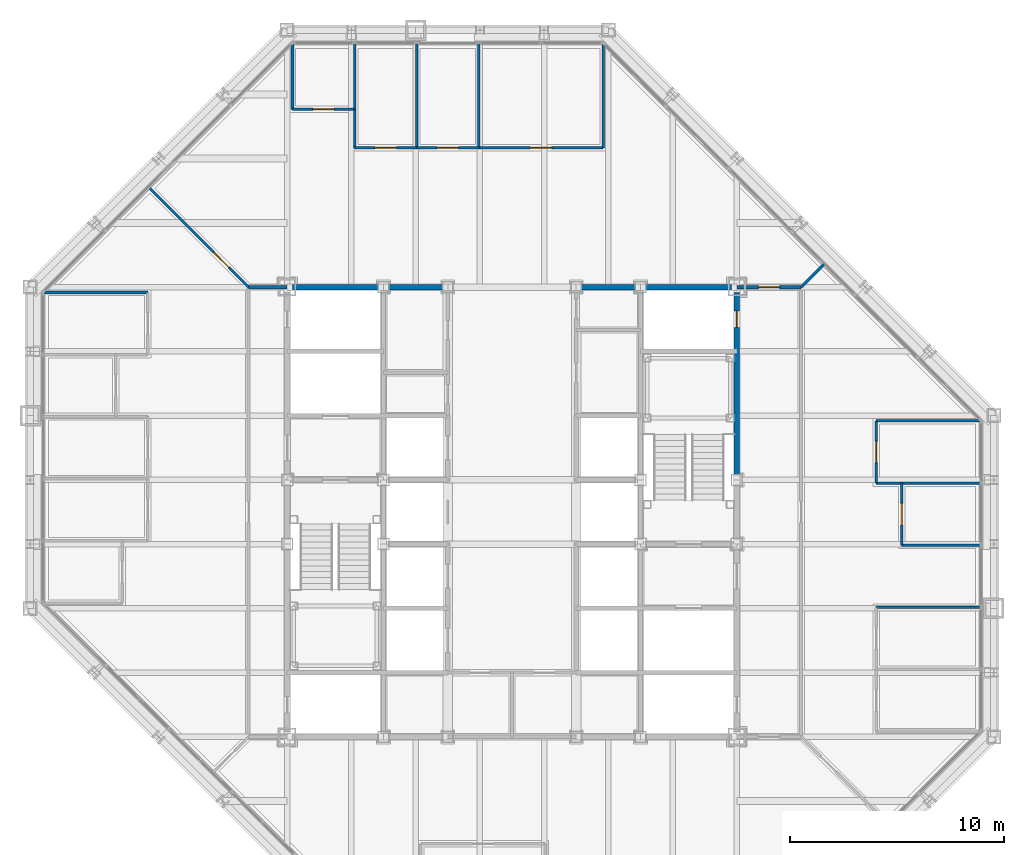
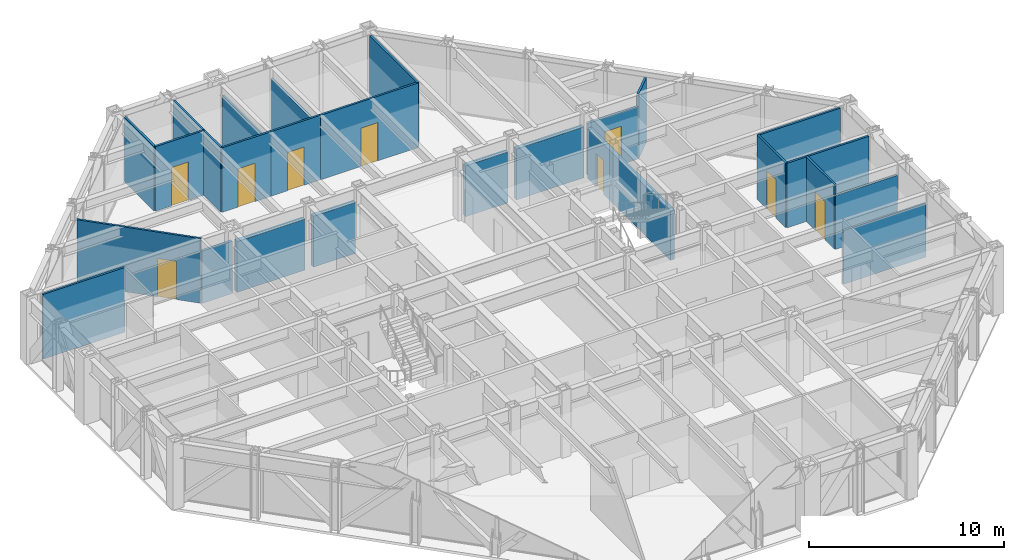
# One storey, part 13 of 16: 25 walls, 9 doors, 9 openings.
"""IFC4 building model written with IfcOpenShell, lengths in metres."""

from ifc_helpers import new_model, si_unit, direction, frame, frame_2d, origin, place, context, subcontext, project, spatial, rectangle, extrude, material, layer, layer_set, type_object, element, fill, save


model = new_model("IFC4")

# Units and contexts
model_context = context("Model", 3, precision=1e-05, world=origin(), true_north=direction((0.0, 1.0)))
body_context = subcontext(model_context, "Body", "Model", "MODEL_VIEW")
ifc_project = project(units=[si_unit("LENGTHUNIT", "METRE"), si_unit("AREAUNIT", "SQUARE_METRE"), si_unit("VOLUMEUNIT", "CUBIC_METRE"), si_unit("PLANEANGLEUNIT", "RADIAN"), si_unit("MASSUNIT", "GRAM", prefix="KILO")], contexts=[model_context])

# Site, building, storey
site_placement = place(None, origin())
site = spatial("IfcSite", under=ifc_project, at=site_placement, CompositionType="ELEMENT")
building_placement = place(site_placement, origin())
building = spatial("IfcBuilding", under=site, at=building_placement, Name="Chuquiago Exchange Tower", CompositionType="ELEMENT")
storey_placement = place(building_placement, frame((0.0, 0.0, 226.5)))
storey = spatial("IfcBuildingStorey", under=building, at=storey_placement, Name="L50", CompositionType="ELEMENT", Elevation=226.5)

# Walls
ifc_material_1 = material(Name="Concrete masonry, fully grouted", Category="masonry")
ifc_layer_1 = layer(ifc_material_1, 0.25)
ifc_layer_set_1 = layer_set([ifc_layer_1], Name="W1 core wall 250")
wall_type_1 = type_object("IfcWallType", Name="W1 core wall 250", PredefinedType="SOLIDWALL", material=ifc_layer_set_1)
wall_1_placement = place(storey_placement, frame((12.25, 33.0, 0.0), z_axis=(0.0, 0.0, 1.0), x_axis=(1.0, 0.0, 0.0)))
element("IfcWall", 1, at=wall_1_placement, inside=storey, type_object=wall_type_1, Name="CW-L50-11-0", PredefinedType="SOLIDWALL", context=body_context, shape_type="SweptSolid", body=[
    extrude(rectangle(XDim=4.0, YDim=0.25, at=frame_2d((2.0, 0.0))), origin(), (0.0, 0.0, 1.0), 3.181396484375),
])
for number, where, z_axis, x_axis, name in (
    (2, (16.75, 33.0, 0.0), (0.0, 0.0, 1.0), (1.0, 0.0, 0.0), "CW-L50-11-1"),
    (3, (25.75, 33.0, 0.0), (0.0, 0.0, 1.0), (1.0, 0.0, 0.0), "CW-L50-12-0"),
):
    element("IfcWall", number, at=place(storey_placement, frame(where, z_axis=z_axis, x_axis=x_axis)), inside=storey, type_object=wall_type_1, Name=name, PredefinedType="SOLIDWALL", context=body_context, shape_type="SweptSolid", body=[
        extrude(rectangle(XDim=2.5, YDim=0.25, at=frame_2d((1.25, 0.0))), origin(), (0.0, 0.0, 1.0), 3.181396484375),
    ])
wall_2_placement = place(storey_placement, frame((28.75, 33.0, 0.0), z_axis=(0.0, 0.0, 1.0), x_axis=(1.0, 0.0, 0.0)))
element("IfcWall", 4, at=wall_2_placement, inside=storey, type_object=wall_type_1, Name="CW-L50-12-1", PredefinedType="SOLIDWALL", context=body_context, shape_type="SweptSolid", body=[
    extrude(rectangle(XDim=4.0, YDim=0.25, at=frame_2d((2.0, 0.0))), origin(), (0.0, 0.0, 1.0), 3.181396484375),
])

# Wall, opening, door
wall_3_placement = place(storey_placement, frame((33.0, 24.25, 0.0), z_axis=(0.0, 0.0, 1.0), x_axis=(0.0, 1.0, 0.0)))
wall_3 = element("IfcWall", 5, at=wall_3_placement, inside=storey, type_object=wall_type_1, Name="CW-L50-25-2", PredefinedType="SOLIDWALL", context=body_context, shape_type="SweptSolid", body=[
    extrude(rectangle(XDim=8.5, YDim=0.25, at=frame_2d((4.25, 0.0))), origin(), (0.0, 0.0, 1.0), 3.11279296875),
])
opening_1_placement = place(wall_3_placement, frame((6.875, 0.0, 0.0)))
opening_1 = element("IfcOpeningElement", 6, at=opening_1_placement, cuts=wall_3, Name="Opening L50-010", PredefinedType="OPENING", context=body_context, shape_type="SweptSolid", body=[
    extrude(rectangle(XDim=0.75, YDim=2.10009765625, at=frame_2d((0.375, 1.050048828125))), frame((0.0, 0.135009765625, 0.0), z_axis=(0.0, -1.0, 0.0), x_axis=(1.0, 0.0, 0.0)), (0.0, 0.0, 1.0), 0.27001953125),
])
ifc_material_2 = material(Name="Steel door, painted", Category="steel")
door_type_1 = type_object("IfcDoorType", Name="D6 riser access door 750x2100", OperationType="SINGLE_SWING_LEFT", PredefinedType="DOOR", material=ifc_material_2)
door_1_placement = place(opening_1_placement, frame((0.75, 0.0, 0.0), z_axis=(0.0, 0.0, 1.0), x_axis=(-1.0, 0.0, 0.0)))
door_1 = element("IfcDoor", 7, at=door_1_placement, inside=storey, type_object=door_type_1, Name="Riser RE2 door", OperationType="SINGLE_SWING_LEFT", OverallHeight=2.10009765625, OverallWidth=0.75, PredefinedType="DOOR", context=body_context, shape_type="SweptSolid", body=[
    extrude(rectangle(XDim=0.75, YDim=2.10009765625, at=frame_2d((0.375, 1.050048828125))), frame((0.0, 0.02490234375, 0.0), z_axis=(0.0, -1.0, 0.0), x_axis=(1.0, 0.0, 0.0)), (0.0, 0.0, 1.0), 0.050048828125),
])
fill(opening_1, door_1)

# Wall
ifc_material_3 = material(Name="Gypsum board on steel studs, acoustic insulation", Category="steel")
ifc_layer_2 = layer(ifc_material_3, 0.14990234375)
ifc_layer_set_2 = layer_set([ifc_layer_2], Name="W11 corridor wall 150")
wall_type_2 = type_object("IfcWallType", Name="W11 corridor wall 150", PredefinedType="PARTITIONING", material=ifc_layer_set_2)
wall_4_placement = place(storey_placement, frame((10.199951171875, 33.0, 0.0), z_axis=(0.0, 0.0, 1.0), x_axis=(1.0, 0.0, 0.0)))
element("IfcWall", 8, at=wall_4_placement, inside=storey, type_object=wall_type_2, Name="PW-L50-GWN0", PredefinedType="PARTITIONING", context=body_context, shape_type="SweptSolid", body=[
    extrude(rectangle(XDim=1.800048828125, YDim=0.14990234375, at=frame_2d((0.89990234375, 0.0))), origin(), (0.0, 0.0, 1.0), 3.2705078125),
])

# Wall, opening, door
wall_5_placement = place(storey_placement, frame((33.0, 33.0, 0.0), z_axis=(0.0, 0.0, 1.0), x_axis=(1.0, 0.0, 0.0)))
wall_5 = element("IfcWall", 9, at=wall_5_placement, inside=storey, type_object=wall_type_2, Name="PW-L50-GEN0", PredefinedType="PARTITIONING", context=body_context, shape_type="SweptSolid", body=[
    extrude(rectangle(XDim=3.0, YDim=0.14990234375, at=frame_2d((1.5, 0.0))), origin(), (0.0, 0.0, 1.0), 3.2705078125),
])
opening_2_placement = place(wall_5_placement, frame((1.0, 0.0, 0.0)))
opening_2 = element("IfcOpeningElement", 10, at=opening_2_placement, cuts=wall_5, Name="Opening L50-040", PredefinedType="OPENING", context=body_context, shape_type="SweptSolid", body=[
    extrude(rectangle(XDim=1.0, YDim=2.39990234375, at=frame_2d((0.5, 1.199951171875))), frame((0.0, 0.0849609375, 0.0), z_axis=(0.0, -1.0, 0.0), x_axis=(1.0, 0.0, 0.0)), (0.0, 0.0, 1.0), 0.169921875),
])
ifc_material_4 = material(Name="Timber door, laminate faced", Category="wood")
door_type_2 = type_object("IfcDoorType", Name="D9 room door 1000x2400", OperationType="SINGLE_SWING_LEFT", PredefinedType="DOOR", material=ifc_material_4)
door_2_placement = place(opening_2_placement, origin())
door_2 = element("IfcDoor", 11, at=door_2_placement, inside=storey, type_object=door_type_2, Name="Team area door", OperationType="SINGLE_SWING_LEFT", OverallHeight=2.39990234375, OverallWidth=1.0, PredefinedType="DOOR", context=body_context, shape_type="SweptSolid", body=[
    extrude(rectangle(XDim=1.0, YDim=2.39990234375, at=frame_2d((0.5, 1.199951171875))), frame((0.0, 0.02490234375, 0.0), z_axis=(0.0, -1.0, 0.0), x_axis=(1.0, 0.0, 0.0)), (0.0, 0.0, 1.0), 0.050048828125),
])
fill(opening_2, door_2)

# Walls
ifc_material_5 = material(Name="Gypsum board on steel studs", Category="steel")
ifc_layer_3 = layer(ifc_material_5, 0.1201171875)
ifc_layer_set_3 = layer_set([ifc_layer_3], Name="W4 partition 120")
wall_type_3 = type_object("IfcWallType", Name="W4 partition 120", PredefinedType="PARTITIONING", material=ifc_layer_set_3)
wall_6_placement = place(storey_placement, frame((44.347412109375, 18.0498046875, 0.0), z_axis=(0.0, 0.0, 1.0), x_axis=(-1.0, 0.0, 0.0)))
element("IfcWall", 12, at=wall_6_placement, inside=storey, type_object=wall_type_3, Name="PW-L50-E01805", PredefinedType="PARTITIONING", context=body_context, shape_type="SweptSolid", body=[
    extrude(rectangle(XDim=4.847412109375, YDim=0.1201171875, at=frame_2d((2.423828125, 0.0))), origin(), (0.0, 0.0, 1.0), 3.356689453125),
])
wall_7_placement = place(storey_placement, frame((44.347412109375, 20.9501953125, 0.0), z_axis=(0.0, 0.0, 1.0), x_axis=(-1.0, 0.0, 0.0)))
element("IfcWall", 13, at=wall_7_placement, inside=storey, type_object=wall_type_3, Name="PW-L50-E02095", PredefinedType="PARTITIONING", context=body_context, shape_type="SweptSolid", body=[
    extrude(rectangle(XDim=3.6474609375, YDim=0.1201171875, at=frame_2d((1.82373046875, 0.0))), origin(), (0.0, 0.0, 1.0), 3.356689453125),
])
wall_8_placement = place(storey_placement, frame((44.347412109375, 23.850830078125, 0.0), z_axis=(0.0, 0.0, 1.0), x_axis=(-1.0, 0.0, 0.0)))
element("IfcWall", 14, at=wall_8_placement, inside=storey, type_object=wall_type_3, Name="PW-L50-E02385", PredefinedType="PARTITIONING", context=body_context, shape_type="SweptSolid", body=[
    extrude(rectangle(XDim=4.847412109375, YDim=0.1201171875, at=frame_2d((2.423828125, 0.0))), origin(), (0.0, 0.0, 1.0), 4.0400390625),
])
wall_9_placement = place(storey_placement, frame((44.333984375, 26.75146484375, 0.0), z_axis=(0.0, 0.0, 1.0), x_axis=(-1.0, 0.0, 0.0)))
element("IfcWall", 15, at=wall_9_placement, inside=storey, type_object=wall_type_3, Name="PW-L50-E02675", PredefinedType="PARTITIONING", context=body_context, shape_type="SweptSolid", body=[
    extrude(rectangle(XDim=4.833984375, YDim=0.1201171875, at=frame_2d((2.4169921875, 0.0))), origin(), (0.0, 0.0, 1.0), 4.0400390625),
])

# Wall, opening, door
wall_10_placement = place(storey_placement, frame((40.699951171875, 20.9501953125, 0.0), z_axis=(0.0, 0.0, 1.0), x_axis=(0.0, 1.0, 0.0)))
wall_10 = element("IfcWall", 16, at=wall_10_placement, inside=storey, type_object=wall_type_3, Name="PW-L50-EF02095", PredefinedType="PARTITIONING", context=body_context, shape_type="SweptSolid", body=[
    extrude(rectangle(XDim=2.900634765625, YDim=0.1201171875, at=frame_2d((1.4501953125, 0.0))), origin(), (0.0, 0.0, 1.0), 4.0400390625),
])
opening_3_placement = place(wall_10_placement, frame((0.9501953125, 0.0, 0.0)))
opening_3 = element("IfcOpeningElement", 17, at=opening_3_placement, cuts=wall_10, Name="Opening L50-027", PredefinedType="OPENING", context=body_context, shape_type="SweptSolid", body=[
    extrude(rectangle(XDim=1.0, YDim=2.39990234375, at=frame_2d((0.5, 1.199951171875))), frame((0.0, 0.070068359375, 0.0), z_axis=(0.0, -1.0, 0.0), x_axis=(1.0, 0.0, 0.0)), (0.0, 0.0, 1.0), 0.14013671875),
])
door_3_placement = place(opening_3_placement, frame((1.0, 0.0, 0.0), z_axis=(0.0, 0.0, 1.0), x_axis=(-1.0, 0.0, 0.0)))
door_3 = element("IfcDoor", 18, at=door_3_placement, inside=storey, type_object=door_type_2, Name="Pantry door", OperationType="SINGLE_SWING_RIGHT", OverallHeight=2.39990234375, OverallWidth=1.0, PredefinedType="DOOR", context=body_context, shape_type="SweptSolid", body=[
    extrude(rectangle(XDim=1.0, YDim=2.39990234375, at=frame_2d((0.5, 1.199951171875))), frame((0.0, 0.02490234375, 0.0), z_axis=(0.0, -1.0, 0.0), x_axis=(1.0, 0.0, 0.0)), (0.0, 0.0, 1.0), 0.050048828125),
])
fill(opening_3, door_3)

wall_11_placement = place(storey_placement, frame((39.5, 23.850830078125, 0.0), z_axis=(0.0, 0.0, 1.0), x_axis=(0.0, 1.0, 0.0)))
wall_11 = element("IfcWall", 19, at=wall_11_placement, inside=storey, type_object=wall_type_3, Name="PW-L50-EF02385", PredefinedType="PARTITIONING", context=body_context, shape_type="SweptSolid", body=[
    extrude(rectangle(XDim=2.900634765625, YDim=0.1201171875, at=frame_2d((1.4501953125, 0.0))), origin(), (0.0, 0.0, 1.0), 4.0400390625),
])
opening_4_placement = place(wall_11_placement, frame((0.9501953125, 0.0, 0.0)))
opening_4 = element("IfcOpeningElement", 20, at=opening_4_placement, cuts=wall_11, Name="Opening L50-028", PredefinedType="OPENING", context=body_context, shape_type="SweptSolid", body=[
    extrude(rectangle(XDim=1.0, YDim=2.39990234375, at=frame_2d((0.5, 1.199951171875))), frame((0.0, 0.070068359375, 0.0), z_axis=(0.0, -1.0, 0.0), x_axis=(1.0, 0.0, 0.0)), (0.0, 0.0, 1.0), 0.14013671875),
])
ifc_material_6 = material(Name="Timber frame door, full height glazed panel", Category="wood")
door_type_3 = type_object("IfcDoorType", Name="D14 glazed meeting room door 1000x2400", OperationType="SINGLE_SWING_LEFT", PredefinedType="DOOR", material=ifc_material_6)
door_4_placement = place(opening_4_placement, frame((1.0, 0.0, 0.0), z_axis=(0.0, 0.0, 1.0), x_axis=(-1.0, 0.0, 0.0)))
door_4 = element("IfcDoor", 21, at=door_4_placement, inside=storey, type_object=door_type_3, Name="Meeting room door", OperationType="SINGLE_SWING_RIGHT", OverallHeight=2.39990234375, OverallWidth=1.0, PredefinedType="DOOR", context=body_context, shape_type="SweptSolid", body=[
    extrude(rectangle(XDim=1.0, YDim=2.39990234375, at=frame_2d((0.5, 1.199951171875))), frame((0.0, 0.02490234375, 0.0), z_axis=(0.0, -1.0, 0.0), x_axis=(1.0, 0.0, 0.0)), (0.0, 0.0, 1.0), 0.050048828125),
])
fill(opening_4, door_4)

# Walls
wall_12_placement = place(storey_placement, frame((12.24853515625, 44.333984375, 0.0), z_axis=(0.0, 0.0, 1.0), x_axis=(0.0, -1.0, 0.0)))
element("IfcWall", 22, at=wall_12_placement, inside=storey, type_object=wall_type_3, Name="PW-L50-N01225", PredefinedType="PARTITIONING", context=body_context, shape_type="SweptSolid", body=[
    extrude(rectangle(XDim=3.033935546875, YDim=0.1201171875, at=frame_2d((1.51708984375, 0.0))), origin(), (0.0, 0.0, 1.0), 4.0400390625),
])
wall_13_placement = place(storey_placement, frame((15.149169921875, 44.347412109375, 0.0), z_axis=(0.0, 0.0, 1.0), x_axis=(0.0, -1.0, 0.0)))
element("IfcWall", 23, at=wall_13_placement, inside=storey, type_object=wall_type_3, Name="PW-L50-N01515", PredefinedType="PARTITIONING", context=body_context, shape_type="SweptSolid", body=[
    extrude(rectangle(XDim=4.847412109375, YDim=0.1201171875, at=frame_2d((2.423828125, 0.0))), origin(), (0.0, 0.0, 1.0), 4.0400390625),
])
for number, where, z_axis, x_axis, name in (
    (24, (18.0498046875, 44.347412109375, 0.0), (0.0, 0.0, 1.0), (0.0, -1.0, 0.0), "PW-L50-N01805"),
    (25, (20.9501953125, 44.347412109375, 0.0), (0.0, 0.0, 1.0), (0.0, -1.0, 0.0), "PW-L50-N02095"),
):
    element("IfcWall", number, at=place(storey_placement, frame(where, z_axis=z_axis, x_axis=x_axis)), inside=storey, type_object=wall_type_3, Name=name, PredefinedType="PARTITIONING", context=body_context, shape_type="SweptSolid", body=[
        extrude(rectangle(XDim=4.847412109375, YDim=0.1201171875, at=frame_2d((2.423828125, 0.0))), origin(), (0.0, 0.0, 1.0), 3.356689453125),
    ])
wall_14_placement = place(storey_placement, frame((26.75146484375, 44.333984375, 0.0), z_axis=(0.0, 0.0, 1.0), x_axis=(0.0, -1.0, 0.0)))
element("IfcWall", 26, at=wall_14_placement, inside=storey, type_object=wall_type_3, Name="PW-L50-N02675", PredefinedType="PARTITIONING", context=body_context, shape_type="SweptSolid", body=[
    extrude(rectangle(XDim=4.833984375, YDim=0.1201171875, at=frame_2d((2.4169921875, 0.0))), origin(), (0.0, 0.0, 1.0), 4.0400390625),
])

# Wall, opening, door
wall_15_placement = place(storey_placement, frame((12.24853515625, 41.300048828125, 0.0), z_axis=(0.0, 0.0, 1.0), x_axis=(1.0, 0.0, 0.0)))
wall_15 = element("IfcWall", 27, at=wall_15_placement, inside=storey, type_object=wall_type_3, Name="PW-L50-NF01225", PredefinedType="PARTITIONING", context=body_context, shape_type="SweptSolid", body=[
    extrude(rectangle(XDim=2.900634765625, YDim=0.1201171875, at=frame_2d((1.4501953125, 0.0))), origin(), (0.0, 0.0, 1.0), 4.0400390625),
])
opening_5_placement = place(wall_15_placement, frame((0.9501953125, 0.0, 0.0)))
opening_5 = element("IfcOpeningElement", 28, at=opening_5_placement, cuts=wall_15, Name="Opening L50-029", PredefinedType="OPENING", context=body_context, shape_type="SweptSolid", body=[
    extrude(rectangle(XDim=1.0, YDim=2.39990234375, at=frame_2d((0.5, 1.199951171875))), frame((0.0, 0.070068359375, 0.0), z_axis=(0.0, -1.0, 0.0), x_axis=(1.0, 0.0, 0.0)), (0.0, 0.0, 1.0), 0.14013671875),
])
door_5_placement = place(opening_5_placement, origin())
door_5 = element("IfcDoor", 29, at=door_5_placement, inside=storey, type_object=door_type_3, Name="Focus room door", OperationType="SINGLE_SWING_LEFT", OverallHeight=2.39990234375, OverallWidth=1.0, PredefinedType="DOOR", context=body_context, shape_type="SweptSolid", body=[
    extrude(rectangle(XDim=1.0, YDim=2.39990234375, at=frame_2d((0.5, 1.199951171875))), frame((0.0, 0.02490234375, 0.0), z_axis=(0.0, -1.0, 0.0), x_axis=(1.0, 0.0, 0.0)), (0.0, 0.0, 1.0), 0.050048828125),
])
fill(opening_5, door_5)

wall_16_placement = place(storey_placement, frame((15.149169921875, 39.5, 0.0), z_axis=(0.0, 0.0, 1.0), x_axis=(1.0, 0.0, 0.0)))
wall_16 = element("IfcWall", 30, at=wall_16_placement, inside=storey, type_object=wall_type_3, Name="PW-L50-NF01515", PredefinedType="PARTITIONING", context=body_context, shape_type="SweptSolid", body=[
    extrude(rectangle(XDim=2.900634765625, YDim=0.1201171875, at=frame_2d((1.4501953125, 0.0))), origin(), (0.0, 0.0, 1.0), 4.0400390625),
])
opening_6_placement = place(wall_16_placement, frame((0.9501953125, 0.0, 0.0)))
opening_6 = element("IfcOpeningElement", 31, at=opening_6_placement, cuts=wall_16, Name="Opening L50-030", PredefinedType="OPENING", context=body_context, shape_type="SweptSolid", body=[
    extrude(rectangle(XDim=1.0, YDim=2.39990234375, at=frame_2d((0.5, 1.199951171875))), frame((0.0, 0.070068359375, 0.0), z_axis=(0.0, -1.0, 0.0), x_axis=(1.0, 0.0, 0.0)), (0.0, 0.0, 1.0), 0.14013671875),
])
door_6_placement = place(opening_6_placement, origin())
door_6 = element("IfcDoor", 32, at=door_6_placement, inside=storey, type_object=door_type_2, Name="Compliance office door", OperationType="SINGLE_SWING_LEFT", OverallHeight=2.39990234375, OverallWidth=1.0, PredefinedType="DOOR", context=body_context, shape_type="SweptSolid", body=[
    extrude(rectangle(XDim=1.0, YDim=2.39990234375, at=frame_2d((0.5, 1.199951171875))), frame((0.0, 0.02490234375, 0.0), z_axis=(0.0, -1.0, 0.0), x_axis=(1.0, 0.0, 0.0)), (0.0, 0.0, 1.0), 0.050048828125),
])
fill(opening_6, door_6)

wall_17_placement = place(storey_placement, frame((18.0498046875, 39.5, 0.0), z_axis=(0.0, 0.0, 1.0), x_axis=(1.0, 0.0, 0.0)))
wall_17 = element("IfcWall", 33, at=wall_17_placement, inside=storey, type_object=wall_type_3, Name="PW-L50-NF01805", PredefinedType="PARTITIONING", context=body_context, shape_type="SweptSolid", body=[
    extrude(rectangle(XDim=2.900390625, YDim=0.1201171875, at=frame_2d((1.4501953125, 0.0))), origin(), (0.0, 0.0, 1.0), 4.0400390625),
])
opening_7_placement = place(wall_17_placement, frame((0.9501953125, 0.0, 0.0)))
opening_7 = element("IfcOpeningElement", 34, at=opening_7_placement, cuts=wall_17, Name="Opening L50-031", PredefinedType="OPENING", context=body_context, shape_type="SweptSolid", body=[
    extrude(rectangle(XDim=1.0, YDim=2.39990234375, at=frame_2d((0.5, 1.199951171875))), frame((0.0, 0.070068359375, 0.0), z_axis=(0.0, -1.0, 0.0), x_axis=(1.0, 0.0, 0.0)), (0.0, 0.0, 1.0), 0.14013671875),
])
door_7_placement = place(opening_7_placement, origin())
door_7 = element("IfcDoor", 35, at=door_7_placement, inside=storey, type_object=door_type_2, Name="Compliance office door", OperationType="SINGLE_SWING_RIGHT", OverallHeight=2.39990234375, OverallWidth=1.0, PredefinedType="DOOR", context=body_context, shape_type="SweptSolid", body=[
    extrude(rectangle(XDim=1.0, YDim=2.39990234375, at=frame_2d((0.5, 1.199951171875))), frame((0.0, 0.02490234375, 0.0), z_axis=(0.0, -1.0, 0.0), x_axis=(1.0, 0.0, 0.0)), (0.0, 0.0, 1.0), 0.050048828125),
])
fill(opening_7, door_7)

wall_18_placement = place(storey_placement, frame((20.9501953125, 39.5, 0.0), z_axis=(0.0, 0.0, 1.0), x_axis=(1.0, 0.0, 0.0)))
wall_18 = element("IfcWall", 36, at=wall_18_placement, inside=storey, type_object=wall_type_3, Name="PW-L50-NF02095", PredefinedType="PARTITIONING", context=body_context, shape_type="SweptSolid", body=[
    extrude(rectangle(XDim=5.80126953125, YDim=0.1201171875, at=frame_2d((2.900634765625, 0.0))), origin(), (0.0, 0.0, 1.0), 4.0400390625),
])
opening_8_placement = place(wall_18_placement, frame((2.400634765625, 0.0, 0.0)))
opening_8 = element("IfcOpeningElement", 37, at=opening_8_placement, cuts=wall_18, Name="Opening L50-032", PredefinedType="OPENING", context=body_context, shape_type="SweptSolid", body=[
    extrude(rectangle(XDim=1.0, YDim=2.39990234375, at=frame_2d((0.5, 1.199951171875))), frame((0.0, 0.070068359375, 0.0), z_axis=(0.0, -1.0, 0.0), x_axis=(1.0, 0.0, 0.0)), (0.0, 0.0, 1.0), 0.14013671875),
])
door_8_placement = place(opening_8_placement, origin())
door_8 = element("IfcDoor", 38, at=door_8_placement, inside=storey, type_object=door_type_3, Name="Meeting room door", OperationType="SINGLE_SWING_LEFT", OverallHeight=2.39990234375, OverallWidth=1.0, PredefinedType="DOOR", context=body_context, shape_type="SweptSolid", body=[
    extrude(rectangle(XDim=1.0, YDim=2.39990234375, at=frame_2d((0.5, 1.199951171875))), frame((0.0, 0.02490234375, 0.0), z_axis=(0.0, -1.0, 0.0), x_axis=(1.0, 0.0, 0.0)), (0.0, 0.0, 1.0), 0.050048828125),
])
fill(opening_8, door_8)

# Walls
wall_19_placement = place(storey_placement, frame((0.666015625, 32.75146484375, 0.0), z_axis=(0.0, 0.0, 1.0), x_axis=(1.0, 0.0, 0.0)))
element("IfcWall", 39, at=wall_19_placement, inside=storey, type_object=wall_type_3, Name="PW-L50-W03275", PredefinedType="PARTITIONING", context=body_context, shape_type="SweptSolid", body=[
    extrude(rectangle(XDim=4.833984375, YDim=0.1201171875, at=frame_2d((2.4169921875, 0.0))), origin(), (0.0, 0.0, 1.0), 4.0400390625),
])
wall_20_placement = place(storey_placement, frame((36.0, 33.0, 0.0), z_axis=(0.0, 0.0, 1.0), x_axis=(0.707106781187, 0.707106781187, 0.0)))
element("IfcWall", 40, at=wall_20_placement, inside=storey, type_object=wall_type_3, Name="PW-L50-QNE", PredefinedType="PARTITIONING", context=body_context, shape_type="SweptSolid", body=[
    extrude(rectangle(XDim=1.4892578125, YDim=0.1201171875, at=frame_2d((0.74462890625, 0.0))), origin(), (0.0, 0.0, 1.0), 4.0400390625),
])

# Wall, opening, door
wall_21_placement = place(storey_placement, frame((10.199951171875, 33.0, 0.0), z_axis=(0.0, 0.0, 1.0), x_axis=(-0.707106781187, 0.707106781187, 0.0)))
wall_21 = element("IfcWall", 41, at=wall_21_placement, inside=storey, type_object=wall_type_3, Name="PW-L50-QNW", PredefinedType="PARTITIONING", context=body_context, shape_type="SweptSolid", body=[
    extrude(rectangle(XDim=6.580322265625, YDim=0.1201171875, at=frame_2d((3.2900390625, 0.0))), origin(), (0.0, 0.0, 1.0), 4.0400390625),
])
opening_9_placement = place(wall_21_placement, frame((1.300048828125, 0.0, 0.0)))
opening_9 = element("IfcOpeningElement", 42, at=opening_9_placement, cuts=wall_21, Name="Opening L50-042", PredefinedType="OPENING", context=body_context, shape_type="SweptSolid", body=[
    extrude(rectangle(XDim=1.0, YDim=2.39990234375, at=frame_2d((0.5, 1.199951171875))), frame((0.0, 0.070068359375, 0.0), z_axis=(0.0, -1.0, 0.0), x_axis=(1.0, 0.0, 0.0)), (0.0, 0.0, 1.0), 0.14013671875),
])
door_9_placement = place(opening_9_placement, origin())
door_9 = element("IfcDoor", 43, at=door_9_placement, inside=storey, type_object=door_type_2, Name="Team area door", OperationType="SINGLE_SWING_LEFT", OverallHeight=2.39990234375, OverallWidth=1.0, PredefinedType="DOOR", context=body_context, shape_type="SweptSolid", body=[
    extrude(rectangle(XDim=1.0, YDim=2.39990234375, at=frame_2d((0.5, 1.199951171875))), frame((0.0, 0.02490234375, 0.0), z_axis=(0.0, -1.0, 0.0), x_axis=(1.0, 0.0, 0.0)), (0.0, 0.0, 1.0), 0.050048828125),
])
fill(opening_9, door_9)

save(model, "model.ifc")
